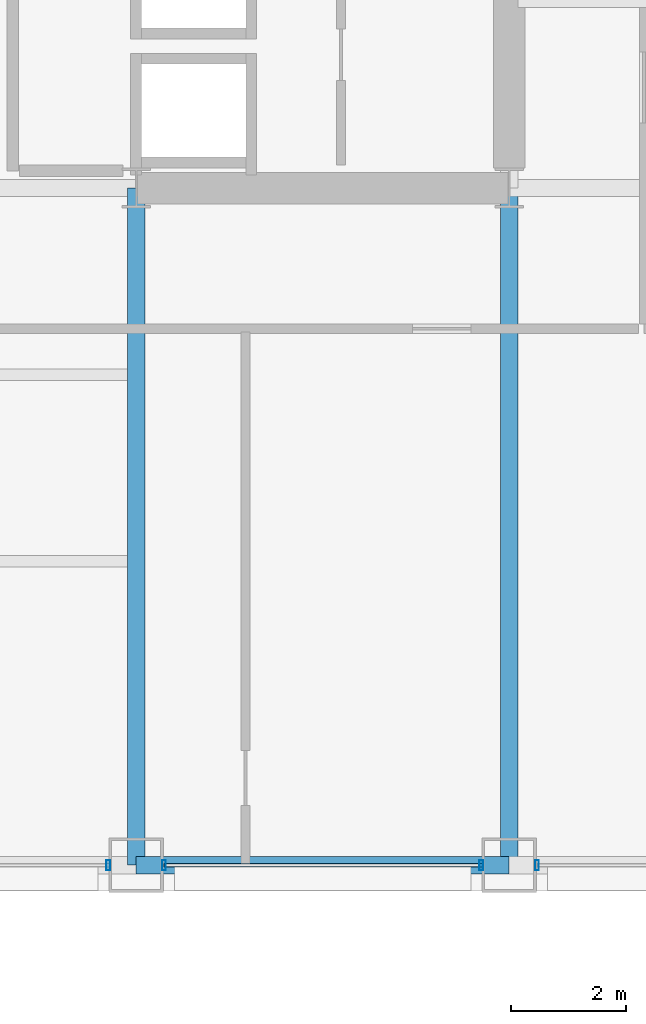
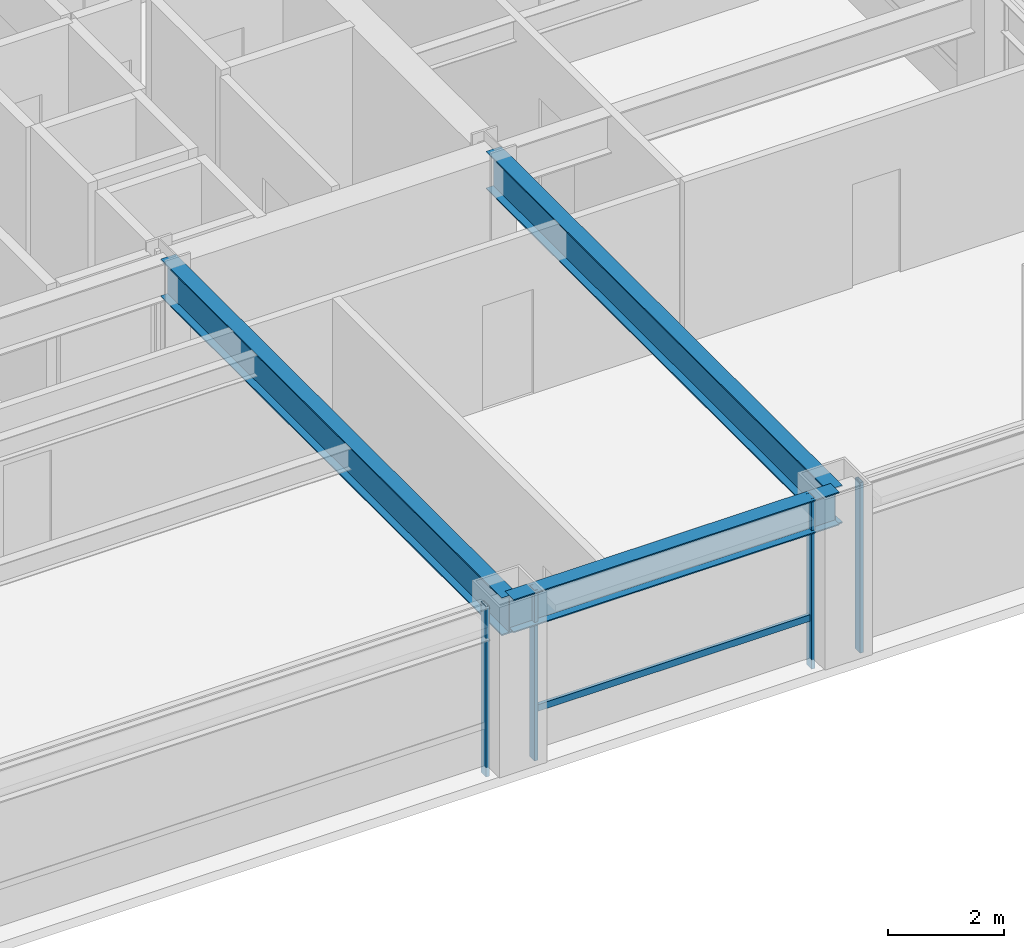
# One storey, part 9 of 31: 5 members, 3 beams, 3 elements without a shape of their own.
"""IFC4 building model written with IfcOpenShell, lengths in metres."""

import ifcopenshell
import ifcopenshell.guid

model = None  # the IFC model being written
_history = None  # IfcOwnerHistory: only IFC2X3 demands one
_inside = {}  # id of a spatial element -> (the spatial element, [elements in it])
_under = {}  # id of a project, library or spatial element -> (it, [spatial elements below it])
_declared = {}  # id of a project -> (the project, [libraries it declares])
_typed = {}  # id of a type object -> (the type object, [elements of that type])
_made_of = {}  # id of a material, layer set ... -> (it, [elements and type objects made of it])


def new_model(schema):
    """Start an empty IFC model of exactly this schema.

    Asked for "IFC4X3", IfcOpenShell would pick the latest addendum, in which some entities
    have other attributes; the version numbers below select the first issue.
    IFC2X3 requires an IfcOwnerHistory on every rooted entity: one is made here for all.
    """
    global model, _history
    if schema == "IFC4X3":
        model = ifcopenshell.file(schema_version=(4, 3, 0, 0))
    else:
        model = ifcopenshell.file(schema=schema)
    _inside.clear()
    _under.clear()
    _declared.clear()
    _typed.clear()
    _made_of.clear()
    _history = None
    if model.schema == "IFC2X3":
        org = make("IfcOrganization", Name="unknown")
        user = make(
            "IfcPersonAndOrganization",
            ThePerson=make("IfcPerson", FamilyName="unknown"),
            TheOrganization=org,
        )
        app = make(
            "IfcApplication",
            ApplicationDeveloper=org,
            Version="unknown",
            ApplicationFullName="unknown",
            ApplicationIdentifier="unknown",
        )
        _history = make(
            "IfcOwnerHistory",
            OwningUser=user,
            OwningApplication=app,
            ChangeAction="ADDED",
            CreationDate=0,
        )
    return model


def make(cls, **values):
    """One entity of the class cls with the attributes given. An attribute that is None is left unset."""
    return model.create_entity(
        cls, **{name: value for name, value in values.items() if value is not None}
    )


def rooted(cls, **values):
    """An entity with a GlobalId (a new one), such as an element, a storey or a relation."""
    return make(cls, GlobalId=ifcopenshell.guid.new(), OwnerHistory=_history, **values)


def si_unit(unit_type, name, prefix=None):
    """IfcSIUnit, for example si_unit("LENGTHUNIT", "METRE", prefix="MILLI")."""
    return make("IfcSIUnit", UnitType=unit_type, Prefix=prefix, Name=name)


def assignment(units):
    """IfcUnitAssignment: the units of a project."""
    return None if units is None else make("IfcUnitAssignment", Units=units)


def point(xyz):
    """IfcCartesianPoint."""
    return None if xyz is None else make("IfcCartesianPoint", Coordinates=xyz)


def direction(xyz):
    """IfcDirection."""
    return None if xyz is None else make("IfcDirection", DirectionRatios=xyz)


def frame(location, z_axis=None, x_axis=None):
    """IfcAxis2Placement3D, a coordinate frame: its origin and axes. An axis left out is left unset."""
    return make(
        "IfcAxis2Placement3D",
        Location=point(location),
        Axis=direction(z_axis),
        RefDirection=direction(x_axis),
    )


def frame_2d(location, x_axis=None):
    """IfcAxis2Placement2D, a coordinate frame in the plane: its origin and x axis."""
    return make(
        "IfcAxis2Placement2D", Location=point(location), RefDirection=direction(x_axis)
    )


def origin():
    """The frame at (0, 0, 0) with its axes left unset."""
    return frame((0.0, 0.0, 0.0))


def origin_2d():
    """The frame at (0, 0) in the plane with its x axis left unset."""
    return frame_2d((0.0, 0.0))


def place(relative_to, where):
    """IfcLocalPlacement: puts the frame where relative to a parent placement (None: the world)."""
    return make(
        "IfcLocalPlacement", PlacementRelTo=relative_to, RelativePlacement=where
    )


def context(
    kind, dimensions, precision=None, world=None, true_north=None, identifier=None
):
    """IfcGeometricRepresentationContext, for example the 3D "Model" context."""
    return make(
        "IfcGeometricRepresentationContext",
        ContextIdentifier=identifier,
        ContextType=kind,
        CoordinateSpaceDimension=dimensions,
        Precision=precision,
        WorldCoordinateSystem=world,
        TrueNorth=true_north,
    )


def subcontext(parent, identifier, kind, view, scale=None):
    """IfcGeometricRepresentationSubContext, for example "Body" below "Model"."""
    return make(
        "IfcGeometricRepresentationSubContext",
        ContextIdentifier=identifier,
        ContextType=kind,
        ParentContext=parent,
        TargetScale=scale,
        TargetView=view,
    )


def project(units=None, contexts=None):
    """IfcProject with its units and contexts."""
    return rooted(
        "IfcProject",
        Name="project",
        RepresentationContexts=contexts,
        UnitsInContext=assignment(units),
    )


def spatial(cls, under=None, at=None, **own):
    """A site, building, storey or space (cls), placed at a placement, below another one or the project."""
    s = rooted(cls, ObjectPlacement=at, **own)
    if under is not None:
        _under.setdefault(under.id(), (under, []))[1].append(s)
    return s


def profile(cls, at=None, kind="AREA", **sizes):
    """A parametric profile (cls). Its sizes go by their IFC names, for example OverallWidth=200.0."""
    return make(cls, ProfileType=kind, Position=at, **sizes)


def hollow_rectangle(**sizes):
    """IfcRectangleHollowProfileDef."""
    return profile("IfcRectangleHollowProfileDef", **sizes)


def i_section(**sizes):
    """IfcIShapeProfileDef."""
    return profile("IfcIShapeProfileDef", **sizes)


def extrude(swept, where, along, depth):
    """IfcExtrudedAreaSolid: the profile swept, set in the frame where, extruded along a direction by depth."""
    return make(
        "IfcExtrudedAreaSolid",
        SweptArea=swept,
        Position=where,
        ExtrudedDirection=direction(along),
        Depth=depth,
    )


def shape(context_of_items, identifier, shape_type, items):
    """IfcShapeRepresentation: the items that make up one representation, for example the "Body"."""
    return make(
        "IfcShapeRepresentation",
        ContextOfItems=context_of_items,
        RepresentationIdentifier=identifier,
        RepresentationType=shape_type,
        Items=items,
    )


def material(Name=None, Category=None):
    """IfcMaterial."""
    return make("IfcMaterial", Name=Name, Category=Category)


def layer(
    of_material, thickness, ventilated=None, Name=None, Category=None, Priority=None
):
    """IfcMaterialLayer: one layer of a wall or slab, of a material (None: an air gap)."""
    return make(
        "IfcMaterialLayer",
        Material=of_material,
        LayerThickness=thickness,
        IsVentilated=ventilated,
        Name=Name,
        Category=Category,
        Priority=Priority,
    )


def layer_set(layers, Name=None):
    """IfcMaterialLayerSet."""
    return make("IfcMaterialLayerSet", MaterialLayers=layers, LayerSetName=Name)


def material_profile(
    of_material, cross_section, Name=None, Category=None, Priority=None
):
    """IfcMaterialProfile: a cross section and its material."""
    return make(
        "IfcMaterialProfile",
        Name=Name,
        Material=of_material,
        Profile=cross_section,
        Priority=Priority,
        Category=Category,
    )


def profile_set(profiles, Name=None, composite=None):
    """IfcMaterialProfileSet."""
    return make(
        "IfcMaterialProfileSet",
        Name=Name,
        MaterialProfiles=profiles,
        CompositeProfile=composite,
    )


def made_of(thing, what):
    """Note that an element or type object is made of a material, layer set ...; save() writes the relation."""
    if what is not None:
        _made_of.setdefault(what.id(), (what, []))[1].append(thing)
    return thing


def type_object(cls, material=None, **own):
    """A type object (cls), such as IfcWallType, which elements share."""
    return made_of(rooted(cls, **own), material)


def element(
    cls,
    number,
    at=None,
    inside=None,
    cuts=None,
    type_object=None,
    material=None,
    context=None,
    identifier="Body",
    shape_type=None,
    held_by="IfcProductDefinitionShape",
    body=None,
    shapes=None,
    **own,
):
    """One element of the class cls, such as IfcWall. Its Tag is "e" and its number.

    at: its placement. inside: the storey or other place that contains it. cuts: it is an
    opening in that element (IfcRelVoidsElement). A single representation is given by context,
    identifier, shape_type and body (its items); several are given by shapes. held_by: the class
    of the entity that holds the representations. save() writes the other relations.
    """
    e = rooted(cls, Tag="e%d" % number, ObjectPlacement=at, **own)
    if body is not None:
        shapes = [shape(context, identifier, shape_type, body)]
    if shapes is not None:
        e.Representation = make(held_by, Representations=shapes)
    if inside is not None:
        _inside.setdefault(inside.id(), (inside, []))[1].append(e)
    if cuts is not None:
        rooted(
            "IfcRelVoidsElement", RelatingBuildingElement=cuts, RelatedOpeningElement=e
        )
    if type_object is not None:
        _typed.setdefault(type_object.id(), (type_object, []))[1].append(e)
    return made_of(e, material)


def aggregate(whole, parts):
    """IfcRelAggregates: a whole, such as a stair, and the parts it consists of."""
    return rooted("IfcRelAggregates", RelatingObject=whole, RelatedObjects=parts)


def save(model, path):
    """Write the relations noted so far, then the file.

    IfcRelAggregates (storeys below a building ...), IfcRelContainedInSpatialStructure (elements
    in a storey), IfcRelDefinesByType, IfcRelAssociatesMaterial and IfcRelDeclares: one each for
    every whole, place, type object, material and project.
    """
    for whole, parts in _under.values():
        aggregate(whole, parts)
    for where, things in _inside.values():
        rooted(
            "IfcRelContainedInSpatialStructure",
            RelatedElements=things,
            RelatingStructure=where,
        )
    for kind, things in _typed.values():
        rooted("IfcRelDefinesByType", RelatedObjects=things, RelatingType=kind)
    for what, things in _made_of.values():
        rooted("IfcRelAssociatesMaterial", RelatedObjects=things, RelatingMaterial=what)
    for by, libraries in _declared.values():
        rooted("IfcRelDeclares", RelatingContext=by, RelatedDefinitions=libraries)
    model.write(path)


model = new_model("IFC4")

# Units and contexts
model_context = context("Model", 3, precision=1e-05, world=origin(), true_north=direction((0.0, 1.0)))
body_context = subcontext(model_context, "Body", "Model", "MODEL_VIEW")
ifc_project = project(units=[si_unit("LENGTHUNIT", "METRE"), si_unit("AREAUNIT", "SQUARE_METRE"), si_unit("VOLUMEUNIT", "CUBIC_METRE"), si_unit("PLANEANGLEUNIT", "RADIAN"), si_unit("MASSUNIT", "GRAM", prefix="KILO")], contexts=[model_context])

# Site, building, storey
site_placement = place(None, origin())
site = spatial("IfcSite", under=ifc_project, at=site_placement, CompositionType="ELEMENT")
building_placement = place(site_placement, origin())
building = spatial("IfcBuilding", under=site, at=building_placement, Name="Brelmoor Portico Tower", CompositionType="ELEMENT")
storey_placement = place(building_placement, frame((0.0, 0.0, 31.199951171875)))
storey = spatial("IfcBuildingStorey", under=building, at=storey_placement, Name="L07", CompositionType="ELEMENT", Elevation=31.199951171875)

# Beams
ifc_material_1 = material(Name="Steel Q355B", Category="steel")
ifc_material_profile_1 = material_profile(ifc_material_1, i_section(OverallWidth=0.300048828125, OverallDepth=0.800048828125, WebThickness=0.013916015625, FlangeThickness=0.02587890625, at=origin_2d()), Name="HN 800x300x14x26")
ifc_profile_set_1 = profile_set([ifc_material_profile_1], Name="Steel Q355B")
beam_type_1 = type_object("IfcBeamType", Name="BM-PG-800", PredefinedType="BEAM", material=ifc_profile_set_1)
for number, where, z_axis, x_axis, name in (
    (1, (8.050048828125, -21.550048828125, 3.0), (0.0, 1.0, 0.0), (-1.0, 0.0, 0.0), "L07 Primary Floor Girder PG-09"),
    (2, (14.550048828125, -21.550048828125, 3.0), (0.0, 1.0, 0.0), (-1.0, 0.0, 0.0), "L07 Primary Floor Girder PG-11"),
):
    element("IfcBeam", number, at=place(storey_placement, frame(where, z_axis=z_axis, x_axis=x_axis)), inside=storey, type_object=beam_type_1, Name=name, PredefinedType="BEAM", context=body_context, shape_type="SweptSolid", body=[
        extrude(i_section(OverallWidth=0.300048828125, OverallDepth=0.800048828125, WebThickness=0.013916015625, FlangeThickness=0.02587890625, at=origin_2d()), origin(), (0.0, 0.0, 1.0), 11.800048828125),
    ])
ifc_material_profile_2 = material_profile(ifc_material_1, i_section(OverallWidth=0.300048828125, OverallDepth=0.699951171875, WebThickness=0.012939453125, FlangeThickness=0.02392578125, at=origin_2d()), Name="HN 700x300x13x24")
ifc_profile_set_2 = profile_set([ifc_material_profile_2], Name="Steel Q355B")
beam_type_2 = type_object("IfcBeamType", Name="BM-SP-700", PredefinedType="SPANDREL", material=ifc_profile_set_2)
beam_placement = place(storey_placement, frame((8.050048828125, -21.550048828125, 3.050048828125), z_axis=(1.0, 0.0, 0.0), x_axis=(0.0, 1.0, 0.0)))
element("IfcBeam", 3, at=beam_placement, inside=storey, type_object=beam_type_2, Name="L07 Perimeter Spandrel Beam SP-04", PredefinedType="SPANDREL", context=body_context, shape_type="SweptSolid", body=[
    extrude(i_section(OverallWidth=0.300048828125, OverallDepth=0.699951171875, WebThickness=0.012939453125, FlangeThickness=0.02392578125, at=origin_2d()), origin(), (0.0, 0.0, 1.0), 6.5),
])

# Curtain wall, member
ifc_material_2 = material(Name="Anodised Aluminium Alloy 6063-T6", Category="aluminium")
ifc_layer_1 = layer(ifc_material_2, 0.179931640625)
ifc_layer_set_1 = layer_set([ifc_layer_1], Name="Anodised Aluminium Alloy 6063-T6")
curtain_wall_type_1 = type_object("IfcCurtainWallType", Name="CW-TOWER-Z1", PredefinedType="NOTDEFINED", material=ifc_layer_set_1)
curtain_wall_1_placement = place(storey_placement, origin())
curtain_wall_1 = element("IfcCurtainWall", 4, at=curtain_wall_1_placement, inside=storey, type_object=curtain_wall_type_1, Name="L07 Curtain Wall CW-L07-1R-1", PredefinedType="NOTDEFINED")
ifc_material_profile_3 = material_profile(ifc_material_2, hollow_rectangle(XDim=0.06494140625, YDim=0.179931640625, WallThickness=0.00390625, at=origin_2d()), Name="ALU MULLION 65x180")
ifc_profile_set_3 = profile_set([ifc_material_profile_3], Name="Anodised Aluminium Alloy 6063-T6")
member_type_1 = type_object("IfcMemberType", Name="MB-CW-MULL-180", PredefinedType="MULLION", material=ifc_profile_set_3)
member_1_placement = place(storey_placement, frame((7.56494140625, -21.550048828125, -0.199951171875), z_axis=(0.0, 0.0, 1.0), x_axis=(1.0, 0.0, 0.0)))
member_1 = element("IfcMember", 5, at=member_1_placement, type_object=member_type_1, Name="CW-L07-1R-1 Mullion 01", PredefinedType="MULLION", context=body_context, shape_type="SweptSolid", body=[
    extrude(hollow_rectangle(XDim=0.06494140625, YDim=0.179931640625, WallThickness=0.00390625, at=origin_2d()), origin(), (0.0, 0.0, 1.0), 3.60009765625),
])
aggregate(curtain_wall_1, [member_1])

# Curtain wall, members
curtain_wall_2_placement = place(storey_placement, origin())
curtain_wall_2 = element("IfcCurtainWall", 6, at=curtain_wall_2_placement, inside=storey, type_object=curtain_wall_type_1, Name="L07 Curtain Wall CW-L07-1R-2", PredefinedType="NOTDEFINED")
member_2_placement = place(storey_placement, frame((8.534912109375, -21.550048828125, -0.199951171875), z_axis=(0.0, 0.0, 1.0), x_axis=(1.0, 0.0, 0.0)))
member_2 = element("IfcMember", 7, at=member_2_placement, type_object=member_type_1, Name="CW-L07-1R-2 Mullion 00", PredefinedType="MULLION", context=body_context, shape_type="SweptSolid", body=[
    extrude(hollow_rectangle(XDim=0.06494140625, YDim=0.179931640625, WallThickness=0.00390625, at=origin_2d()), origin(), (0.0, 0.0, 1.0), 3.60009765625),
])
member_3_placement = place(storey_placement, frame((14.06494140625, -21.550048828125, -0.199951171875), z_axis=(0.0, 0.0, 1.0), x_axis=(1.0, 0.0, 0.0)))
member_3 = element("IfcMember", 8, at=member_3_placement, type_object=member_type_1, Name="CW-L07-1R-2 Mullion 01", PredefinedType="MULLION", context=body_context, shape_type="SweptSolid", body=[
    extrude(hollow_rectangle(XDim=0.06494140625, YDim=0.179931640625, WallThickness=0.00390625, at=origin_2d()), origin(), (0.0, 0.0, 1.0), 3.60009765625),
])

# Curtain wall, member
ifc_layer_2 = layer(ifc_material_2, 0.179931640625)
ifc_layer_set_2 = layer_set([ifc_layer_2], Name="Anodised Aluminium Alloy 6063-T6")
curtain_wall_type_2 = type_object("IfcCurtainWallType", Name="CW-TOWER-Z1-XB", PredefinedType="NOTDEFINED", material=ifc_layer_set_2)
curtain_wall_3_placement = place(storey_placement, origin())
curtain_wall_3 = element("IfcCurtainWall", 9, at=curtain_wall_3_placement, inside=storey, type_object=curtain_wall_type_2, Name="L07 Curtain Wall CW-L07-1R-3", PredefinedType="NOTDEFINED")
member_4_placement = place(storey_placement, frame((15.034912109375, -21.550048828125, -0.199951171875), z_axis=(0.0, 0.0, 1.0), x_axis=(1.0, 0.0, 0.0)))
member_4 = element("IfcMember", 10, at=member_4_placement, type_object=member_type_1, Name="CW-L07-1R-3 Mullion 00", PredefinedType="MULLION", context=body_context, shape_type="SweptSolid", body=[
    extrude(hollow_rectangle(XDim=0.06494140625, YDim=0.179931640625, WallThickness=0.00390625, at=origin_2d()), origin(), (0.0, 0.0, 1.0), 3.60009765625),
])
aggregate(curtain_wall_3, [member_4])

# Member
ifc_material_profile_4 = material_profile(ifc_material_2, hollow_rectangle(XDim=0.06494140625, YDim=0.139892578125, WallThickness=0.00390625, at=origin_2d()), Name="ALU TRANSOM 65x140")
ifc_profile_set_4 = profile_set([ifc_material_profile_4], Name="Anodised Aluminium Alloy 6063-T6")
member_type_2 = type_object("IfcMemberType", Name="MB-CW-TRAN-140", PredefinedType="USERDEFINED", material=ifc_profile_set_4)
member_5_placement = place(storey_placement, frame((8.534912109375, -21.550048828125, 0.85009765625), z_axis=(1.0, 0.0, 0.0), x_axis=(0.0, 1.0, 0.0)))
member_5 = element("IfcMember", 11, at=member_5_placement, type_object=member_type_2, Name="CW-L07-1R-2 Transom 1-00", ObjectType="TRANSOM", PredefinedType="USERDEFINED", context=body_context, shape_type="SweptSolid", body=[
    extrude(hollow_rectangle(XDim=0.06494140625, YDim=0.139892578125, WallThickness=0.00390625, at=origin_2d()), origin(), (0.0, 0.0, 1.0), 5.530029296875),
])

aggregate(curtain_wall_2, [member_2, member_3, member_5])

save(model, "model.ifc")
